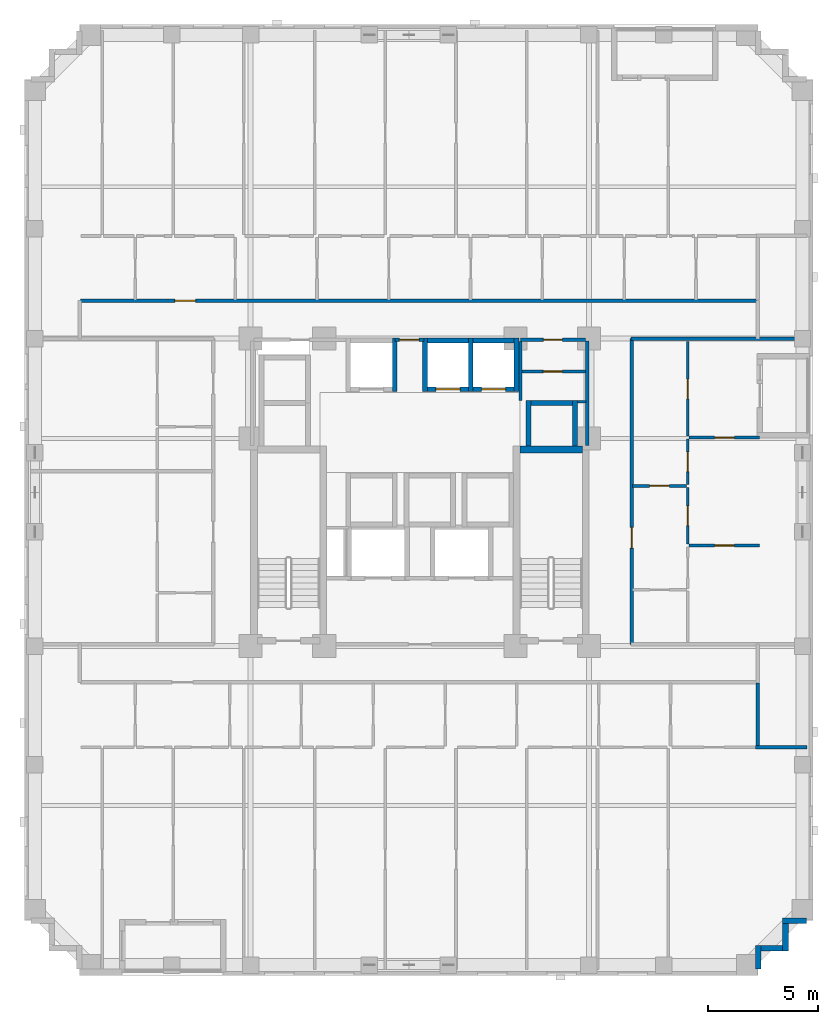
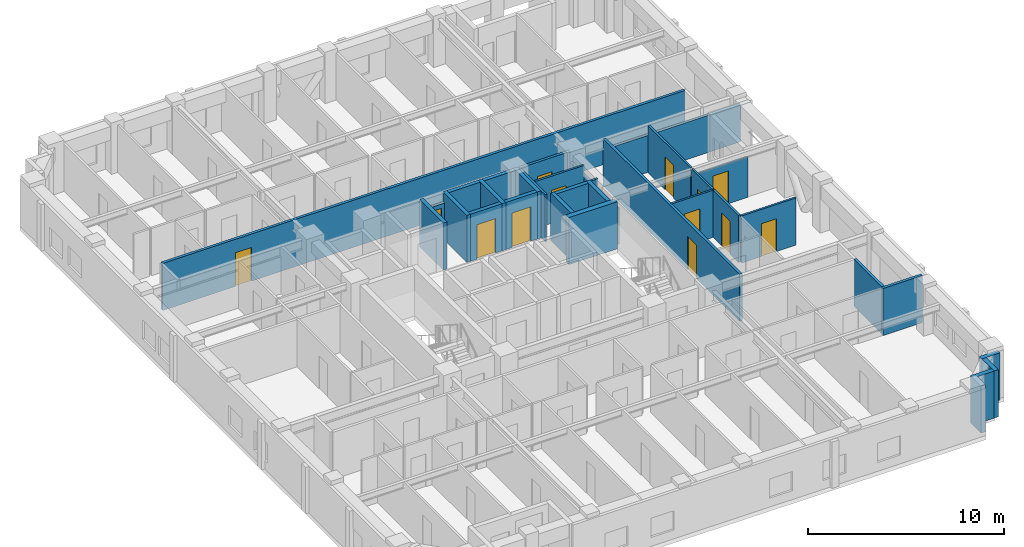
# One storey, part 6 of 13: 33 walls, 13 doors, 13 openings.
"""IFC4 building model written with IfcOpenShell, lengths in metres."""

import ifcopenshell
import ifcopenshell.guid

model = None  # the IFC model being written
_history = None  # IfcOwnerHistory: only IFC2X3 demands one
_inside = {}  # id of a spatial element -> (the spatial element, [elements in it])
_under = {}  # id of a project, library or spatial element -> (it, [spatial elements below it])
_declared = {}  # id of a project -> (the project, [libraries it declares])
_typed = {}  # id of a type object -> (the type object, [elements of that type])
_made_of = {}  # id of a material, layer set ... -> (it, [elements and type objects made of it])


def new_model(schema):
    """Start an empty IFC model of exactly this schema.

    Asked for "IFC4X3", IfcOpenShell would pick the latest addendum, in which some entities
    have other attributes; the version numbers below select the first issue.
    IFC2X3 requires an IfcOwnerHistory on every rooted entity: one is made here for all.
    """
    global model, _history
    if schema == "IFC4X3":
        model = ifcopenshell.file(schema_version=(4, 3, 0, 0))
    else:
        model = ifcopenshell.file(schema=schema)
    _inside.clear()
    _under.clear()
    _declared.clear()
    _typed.clear()
    _made_of.clear()
    _history = None
    if model.schema == "IFC2X3":
        org = make("IfcOrganization", Name="unknown")
        user = make(
            "IfcPersonAndOrganization",
            ThePerson=make("IfcPerson", FamilyName="unknown"),
            TheOrganization=org,
        )
        app = make(
            "IfcApplication",
            ApplicationDeveloper=org,
            Version="unknown",
            ApplicationFullName="unknown",
            ApplicationIdentifier="unknown",
        )
        _history = make(
            "IfcOwnerHistory",
            OwningUser=user,
            OwningApplication=app,
            ChangeAction="ADDED",
            CreationDate=0,
        )
    return model


def make(cls, **values):
    """One entity of the class cls with the attributes given. An attribute that is None is left unset."""
    return model.create_entity(
        cls, **{name: value for name, value in values.items() if value is not None}
    )


def rooted(cls, **values):
    """An entity with a GlobalId (a new one), such as an element, a storey or a relation."""
    return make(cls, GlobalId=ifcopenshell.guid.new(), OwnerHistory=_history, **values)


def si_unit(unit_type, name, prefix=None):
    """IfcSIUnit, for example si_unit("LENGTHUNIT", "METRE", prefix="MILLI")."""
    return make("IfcSIUnit", UnitType=unit_type, Prefix=prefix, Name=name)


def derived_unit(unit_type, elements):
    """IfcDerivedUnit: a product of units, each with its exponent."""
    return make(
        "IfcDerivedUnit",
        Elements=[
            make("IfcDerivedUnitElement", Unit=unit, Exponent=power)
            for unit, power in elements
        ],
        UnitType=unit_type,
    )


def assignment(units):
    """IfcUnitAssignment: the units of a project."""
    return None if units is None else make("IfcUnitAssignment", Units=units)


def point(xyz):
    """IfcCartesianPoint."""
    return None if xyz is None else make("IfcCartesianPoint", Coordinates=xyz)


def direction(xyz):
    """IfcDirection."""
    return None if xyz is None else make("IfcDirection", DirectionRatios=xyz)


def frame(location, z_axis=None, x_axis=None):
    """IfcAxis2Placement3D, a coordinate frame: its origin and axes. An axis left out is left unset."""
    return make(
        "IfcAxis2Placement3D",
        Location=point(location),
        Axis=direction(z_axis),
        RefDirection=direction(x_axis),
    )


def frame_2d(location, x_axis=None):
    """IfcAxis2Placement2D, a coordinate frame in the plane: its origin and x axis."""
    return make(
        "IfcAxis2Placement2D", Location=point(location), RefDirection=direction(x_axis)
    )


def origin():
    """The frame at (0, 0, 0) with its axes left unset."""
    return frame((0.0, 0.0, 0.0))


def place(relative_to, where):
    """IfcLocalPlacement: puts the frame where relative to a parent placement (None: the world)."""
    return make(
        "IfcLocalPlacement", PlacementRelTo=relative_to, RelativePlacement=where
    )


def context(
    kind, dimensions, precision=None, world=None, true_north=None, identifier=None
):
    """IfcGeometricRepresentationContext, for example the 3D "Model" context."""
    return make(
        "IfcGeometricRepresentationContext",
        ContextIdentifier=identifier,
        ContextType=kind,
        CoordinateSpaceDimension=dimensions,
        Precision=precision,
        WorldCoordinateSystem=world,
        TrueNorth=true_north,
    )


def subcontext(parent, identifier, kind, view, scale=None):
    """IfcGeometricRepresentationSubContext, for example "Body" below "Model"."""
    return make(
        "IfcGeometricRepresentationSubContext",
        ContextIdentifier=identifier,
        ContextType=kind,
        ParentContext=parent,
        TargetScale=scale,
        TargetView=view,
    )


def project(units=None, contexts=None):
    """IfcProject with its units and contexts."""
    return rooted(
        "IfcProject",
        Name="project",
        RepresentationContexts=contexts,
        UnitsInContext=assignment(units),
    )


def spatial(cls, under=None, at=None, **own):
    """A site, building, storey or space (cls), placed at a placement, below another one or the project."""
    s = rooted(cls, ObjectPlacement=at, **own)
    if under is not None:
        _under.setdefault(under.id(), (under, []))[1].append(s)
    return s


def profile(cls, at=None, kind="AREA", **sizes):
    """A parametric profile (cls). Its sizes go by their IFC names, for example OverallWidth=200.0."""
    return make(cls, ProfileType=kind, Position=at, **sizes)


def rectangle(**sizes):
    """IfcRectangleProfileDef."""
    return profile("IfcRectangleProfileDef", **sizes)


def extrude(swept, where, along, depth):
    """IfcExtrudedAreaSolid: the profile swept, set in the frame where, extruded along a direction by depth."""
    return make(
        "IfcExtrudedAreaSolid",
        SweptArea=swept,
        Position=where,
        ExtrudedDirection=direction(along),
        Depth=depth,
    )


def shape(context_of_items, identifier, shape_type, items):
    """IfcShapeRepresentation: the items that make up one representation, for example the "Body"."""
    return make(
        "IfcShapeRepresentation",
        ContextOfItems=context_of_items,
        RepresentationIdentifier=identifier,
        RepresentationType=shape_type,
        Items=items,
    )


def material(Name=None, Category=None):
    """IfcMaterial."""
    return make("IfcMaterial", Name=Name, Category=Category)


def layer(
    of_material, thickness, ventilated=None, Name=None, Category=None, Priority=None
):
    """IfcMaterialLayer: one layer of a wall or slab, of a material (None: an air gap)."""
    return make(
        "IfcMaterialLayer",
        Material=of_material,
        LayerThickness=thickness,
        IsVentilated=ventilated,
        Name=Name,
        Category=Category,
        Priority=Priority,
    )


def layer_set(layers, Name=None):
    """IfcMaterialLayerSet."""
    return make("IfcMaterialLayerSet", MaterialLayers=layers, LayerSetName=Name)


def made_of(thing, what):
    """Note that an element or type object is made of a material, layer set ...; save() writes the relation."""
    if what is not None:
        _made_of.setdefault(what.id(), (what, []))[1].append(thing)
    return thing


def type_object(cls, material=None, **own):
    """A type object (cls), such as IfcWallType, which elements share."""
    return made_of(rooted(cls, **own), material)


def element(
    cls,
    number,
    at=None,
    inside=None,
    cuts=None,
    type_object=None,
    material=None,
    context=None,
    identifier="Body",
    shape_type=None,
    held_by="IfcProductDefinitionShape",
    body=None,
    shapes=None,
    **own,
):
    """One element of the class cls, such as IfcWall. Its Tag is "e" and its number.

    at: its placement. inside: the storey or other place that contains it. cuts: it is an
    opening in that element (IfcRelVoidsElement). A single representation is given by context,
    identifier, shape_type and body (its items); several are given by shapes. held_by: the class
    of the entity that holds the representations. save() writes the other relations.
    """
    e = rooted(cls, Tag="e%d" % number, ObjectPlacement=at, **own)
    if body is not None:
        shapes = [shape(context, identifier, shape_type, body)]
    if shapes is not None:
        e.Representation = make(held_by, Representations=shapes)
    if inside is not None:
        _inside.setdefault(inside.id(), (inside, []))[1].append(e)
    if cuts is not None:
        rooted(
            "IfcRelVoidsElement", RelatingBuildingElement=cuts, RelatedOpeningElement=e
        )
    if type_object is not None:
        _typed.setdefault(type_object.id(), (type_object, []))[1].append(e)
    return made_of(e, material)


def fill(opening, filler):
    """IfcRelFillsElement: the door or window that sits in an opening."""
    return rooted(
        "IfcRelFillsElement",
        RelatingOpeningElement=opening,
        RelatedBuildingElement=filler,
    )


def aggregate(whole, parts):
    """IfcRelAggregates: a whole, such as a stair, and the parts it consists of."""
    return rooted("IfcRelAggregates", RelatingObject=whole, RelatedObjects=parts)


def save(model, path):
    """Write the relations noted so far, then the file.

    IfcRelAggregates (storeys below a building ...), IfcRelContainedInSpatialStructure (elements
    in a storey), IfcRelDefinesByType, IfcRelAssociatesMaterial and IfcRelDeclares: one each for
    every whole, place, type object, material and project.
    """
    for whole, parts in _under.values():
        aggregate(whole, parts)
    for where, things in _inside.values():
        rooted(
            "IfcRelContainedInSpatialStructure",
            RelatedElements=things,
            RelatingStructure=where,
        )
    for kind, things in _typed.values():
        rooted("IfcRelDefinesByType", RelatedObjects=things, RelatingType=kind)
    for what, things in _made_of.values():
        rooted("IfcRelAssociatesMaterial", RelatedObjects=things, RelatingMaterial=what)
    for by, libraries in _declared.values():
        rooted("IfcRelDeclares", RelatingContext=by, RelatedDefinitions=libraries)
    model.write(path)


model = new_model("IFC4")

# Units and contexts
model_context = context("Model", 3, precision=1e-05, world=origin(), true_north=direction((0.0, 1.0)))
body_context = subcontext(model_context, "Body", "Model", "MODEL_VIEW")
ifc_project = project(units=[si_unit("LENGTHUNIT", "METRE"), si_unit("AREAUNIT", "SQUARE_METRE"), si_unit("VOLUMEUNIT", "CUBIC_METRE"), si_unit("PLANEANGLEUNIT", "RADIAN"), si_unit("MASSUNIT", "GRAM", prefix="KILO"), derived_unit("THERMALTRANSMITTANCEUNIT", [(si_unit("MASSUNIT", "GRAM", prefix="KILO"), 1), (si_unit("TIMEUNIT", "SECOND"), -3), (si_unit("THERMODYNAMICTEMPERATUREUNIT", "KELVIN"), -1)])], contexts=[model_context])

# Site, building, storey
site_placement = place(None, origin())
site = spatial("IfcSite", under=ifc_project, at=site_placement, CompositionType="ELEMENT")
building_placement = place(site_placement, origin())
building = spatial("IfcBuilding", under=site, at=building_placement, Name="Korrvale Station Residences", CompositionType="ELEMENT")
storey_placement = place(building_placement, frame((0.0, 0.0, 97.5)))
storey = spatial("IfcBuildingStorey", under=building, at=storey_placement, Name="L27", CompositionType="ELEMENT", Elevation=97.5)

# Walls
ifc_material_1 = material(Name="Concrete C60/75", Category="concrete")
ifc_layer_1 = layer(ifc_material_1, 0.300048828125, Name="Concrete C60/75")
ifc_layer_set_1 = layer_set([ifc_layer_1], Name="Concrete C60/75")
wall_type_1 = type_object("IfcWallType", Name="WAL-CORE-300-C60", PredefinedType="SHEAR", material=ifc_layer_set_1)
wall_1_placement = place(storey_placement, frame((30.050048828125, 23.949951171875, 0.0), z_axis=(0.0, 0.0, 1.0), x_axis=(1.0, 0.0, 0.0)))
element("IfcWall", 1, at=wall_1_placement, inside=storey, type_object=wall_type_1, Name="L27 ST-2 Core Shear Wall North", PredefinedType="SHEAR", context=body_context, shape_type="SweptSolid", body=[
    extrude(rectangle(XDim=2.849853515625, YDim=0.300048828125, at=frame_2d((1.4248046875, 0.0))), origin(), (0.0, 0.0, 1.0), 2.93994140625),
])
ifc_material_2 = material(Name="Precast concrete C45/55", Category="concrete")
ifc_layer_2 = layer(ifc_material_2, 0.260009765625, Name="Precast concrete C45/55")
ifc_layer_set_2 = layer_set([ifc_layer_2], Name="Precast concrete C45/55")
wall_type_2 = type_object("IfcWallType", Name="WAL-EXT-LOG260", PredefinedType="SOLIDWALL", material=ifc_layer_set_2)
wall_2_placement = place(storey_placement, frame((43.097900390625, 2.5, 0.0), z_axis=(0.0, 0.0, 1.0), x_axis=(-1.0, 0.0, 0.0)))
element("IfcWall", 2, at=wall_2_placement, inside=storey, type_object=wall_type_2, Name="L27 Serrated Corner Precast Step SE-1", PredefinedType="SOLIDWALL", context=body_context, shape_type="SweptSolid", body=[
    extrude(rectangle(XDim=1.077880859375, YDim=0.260009765625, at=frame_2d((0.5390625, 0.0))), origin(), (0.0, 0.0, 1.0), 2.93994140625),
])
wall_3_placement = place(storey_placement, frame((42.14990234375, 2.367919921875, 0.0), z_axis=(0.0, 0.0, 1.0), x_axis=(0.0, -1.0, 0.0)))
element("IfcWall", 3, at=wall_3_placement, inside=storey, type_object=wall_type_2, Name="L27 Serrated Corner Precast Step SE-2", PredefinedType="SOLIDWALL", context=body_context, shape_type="SweptSolid", body=[
    extrude(rectangle(XDim=1.247802734375, YDim=0.260009765625, at=frame_2d((0.6240234375, 0.0))), origin(), (0.0, 0.0, 1.0), 2.93994140625),
])
wall_4_placement = place(storey_placement, frame((42.01806640625, 1.25, 0.0), z_axis=(0.0, 0.0, 1.0), x_axis=(-1.0, 0.0, 0.0)))
element("IfcWall", 4, at=wall_4_placement, inside=storey, type_object=wall_type_2, Name="L27 Serrated Corner Precast Step SE-3", PredefinedType="SOLIDWALL", context=body_context, shape_type="SweptSolid", body=[
    extrude(rectangle(XDim=0.986083984375, YDim=0.260009765625, at=frame_2d((0.4931640625, 0.0))), origin(), (0.0, 0.0, 1.0), 2.93994140625),
])
wall_5_placement = place(storey_placement, frame((40.89990234375, 1.3798828125, 0.0), z_axis=(0.0, 0.0, 1.0), x_axis=(0.0, -1.0, 0.0)))
element("IfcWall", 5, at=wall_5_placement, inside=storey, type_object=wall_type_2, Name="L27 Serrated Corner Precast Step SE-4", PredefinedType="SOLIDWALL", context=body_context, shape_type="SweptSolid", body=[
    extrude(rectangle(XDim=1.077880859375, YDim=0.260009765625, at=frame_2d((0.5390625, 0.0))), origin(), (0.0, 0.0, 1.0), 2.93994140625),
])
ifc_material_3 = material(Name="Acoustic steel-stud gypsum board partition", Category="steel")
ifc_layer_3 = layer(ifc_material_3, 0.1201171875, Name="Acoustic steel-stud gypsum board partition")
ifc_layer_set_3 = layer_set([ifc_layer_3], Name="Acoustic steel-stud gypsum board partition")
wall_type_3 = type_object("IfcWallType", Name="WAL-PART-125", PredefinedType="PARTITIONING", material=ifc_layer_set_3)
wall_6_placement = place(storey_placement, frame((30.080078125, 26.179931640625, 0.0), z_axis=(0.0, 0.0, 1.0), x_axis=(0.0, 1.0, 0.0)))
element("IfcWall", 6, at=wall_6_placement, inside=storey, type_object=wall_type_3, Name="L27 Core Partition CW-CS-W", PredefinedType="PARTITIONING", context=body_context, shape_type="SweptSolid", body=[
    extrude(rectangle(XDim=2.68017578125, YDim=0.1201171875, at=frame_2d((1.340087890625, 0.0))), origin(), (0.0, 0.0, 1.0), 2.93994140625),
])
wall_7_placement = place(storey_placement, frame((32.679931640625, 26.1201171875, 0.0), z_axis=(0.0, 0.0, 1.0), x_axis=(1.0, 0.0, 0.0)))
element("IfcWall", 7, at=wall_7_placement, inside=storey, type_object=wall_type_3, Name="L27 Core Partition CW-CS-S", PredefinedType="PARTITIONING", context=body_context, shape_type="SweptSolid", body=[
    extrude(rectangle(XDim=0.380126953125, YDim=0.1201171875, at=frame_2d((0.18994140625, 0.0))), origin(), (0.0, 0.0, 1.0), 2.93994140625),
])

# Wall, opening, door
wall_8_placement = place(storey_placement, frame((30.159912109375, 27.5, 0.0), z_axis=(0.0, 0.0, 1.0), x_axis=(1.0, 0.0, 0.0)))
wall_8 = element("IfcWall", 8, at=wall_8_placement, inside=storey, type_object=wall_type_3, Name="L27 Core Partition CW-CS-H", PredefinedType="PARTITIONING", context=body_context, shape_type="SweptSolid", body=[
    extrude(rectangle(XDim=2.880126953125, YDim=0.1201171875, at=frame_2d((1.43994140625, 0.0))), origin(), (0.0, 0.0, 1.0), 2.93994140625),
])
opening_1_placement = place(wall_8_placement, frame((0.969970703125, 0.0, 0.0)))
opening_1 = element("IfcOpeningElement", 9, at=opening_1_placement, cuts=wall_8, Name="Opening DB-860", PredefinedType="OPENING", context=body_context, shape_type="SweptSolid", body=[
    extrude(rectangle(XDim=0.860107421875, YDim=2.050048828125, at=frame_2d((0.43017578125, 1.02490234375))), frame((0.0, 0.070068359375, 0.0), z_axis=(0.0, -1.0, 0.0), x_axis=(1.0, 0.0, 0.0)), (0.0, 0.0, 1.0), 0.14013671875),
])
ifc_material_4 = material(Name="Moisture-resistant solid-core bathroom door", Category="timber")
door_type_1 = type_object("IfcDoorType", Name="DR-BATH-860", OperationType="NOTDEFINED", PredefinedType="DOOR", material=ifc_material_4)
door_1_placement = place(opening_1_placement, origin())
door_1 = element("IfcDoor", 10, at=door_1_placement, inside=storey, type_object=door_type_1, Name="L27 Mail Sorting Inner Door", OperationType="SINGLE_SWING_RIGHT", OverallHeight=2.050048828125, OverallWidth=0.860107421875, PredefinedType="DOOR", context=body_context, shape_type="SweptSolid", body=[
    extrude(rectangle(XDim=0.860107421875, YDim=2.050048828125, at=frame_2d((0.43017578125, 1.02490234375))), frame((0.0, 0.02490234375, 0.0), z_axis=(0.0, -1.0, 0.0), x_axis=(1.0, 0.0, 0.0)), (0.0, 0.0, 1.0), 0.050048828125),
])
fill(opening_1, door_1)

wall_9_placement = place(storey_placement, frame((35.18994140625, 22.2900390625, 0.0), z_axis=(0.0, 0.0, 1.0), x_axis=(1.0, 0.0, 0.0)))
wall_9 = element("IfcWall", 11, at=wall_9_placement, inside=storey, type_object=wall_type_3, Name="L27 Suite Partition U05-H02", PredefinedType="PARTITIONING", context=body_context, shape_type="SweptSolid", body=[
    extrude(rectangle(XDim=2.449951171875, YDim=0.1201171875, at=frame_2d((1.22509765625, 0.0))), origin(), (0.0, 0.0, 1.0), 2.93994140625),
])
opening_2_placement = place(wall_9_placement, frame((0.77490234375, 0.0, 0.0)))
opening_2 = element("IfcOpeningElement", 12, at=opening_2_placement, cuts=wall_9, Name="Opening DI-900", PredefinedType="OPENING", context=body_context, shape_type="SweptSolid", body=[
    extrude(rectangle(XDim=0.89990234375, YDim=2.050048828125, at=frame_2d((0.449951171875, 1.02490234375))), frame((0.0, 0.070068359375, 0.0), z_axis=(0.0, -1.0, 0.0), x_axis=(1.0, 0.0, 0.0)), (0.0, 0.0, 1.0), 0.14013671875),
])
ifc_material_5 = material(Name="Painted solid-core timber interior room door", Category="wood")
door_type_2 = type_object("IfcDoorType", Name="DR-INT-900", OperationType="NOTDEFINED", PredefinedType="DOOR", material=ifc_material_5)
door_2_placement = place(opening_2_placement, origin())
door_2 = element("IfcDoor", 13, at=door_2_placement, inside=storey, type_object=door_type_2, Name="L27 Apartment 2BR L27-U05 Wardrobe Storage Room Door", OperationType="SINGLE_SWING_LEFT", OverallHeight=2.050048828125, OverallWidth=0.89990234375, PredefinedType="DOOR", context=body_context, shape_type="SweptSolid", body=[
    extrude(rectangle(XDim=0.89990234375, YDim=2.050048828125, at=frame_2d((0.449951171875, 1.02490234375))), frame((0.0, 0.02490234375, 0.0), z_axis=(0.0, -1.0, 0.0), x_axis=(1.0, 0.0, 0.0)), (0.0, 0.0, 1.0), 0.050048828125),
])
fill(opening_2, door_2)

wall_10_placement = place(storey_placement, frame((37.699951171875, 22.35009765625, 0.0), z_axis=(0.0, 0.0, 1.0), x_axis=(0.0, 1.0, 0.0)))
wall_10 = element("IfcWall", 14, at=wall_10_placement, inside=storey, type_object=wall_type_3, Name="L27 Suite Partition U05-V04", PredefinedType="PARTITIONING", context=body_context, shape_type="SweptSolid", body=[
    extrude(rectangle(XDim=2.081787109375, YDim=0.1201171875, at=frame_2d((1.041015625, 0.0))), origin(), (0.0, 0.0, 1.0), 2.93994140625),
])
opening_3_placement = place(wall_10_placement, frame((0.591064453125, 0.0, 0.0)))
opening_3 = element("IfcOpeningElement", 15, at=opening_3_placement, cuts=wall_10, Name="Opening DI-900", PredefinedType="OPENING", context=body_context, shape_type="SweptSolid", body=[
    extrude(rectangle(XDim=0.89990234375, YDim=2.050048828125, at=frame_2d((0.449951171875, 1.02490234375))), frame((0.0, 0.070068359375, 0.0), z_axis=(0.0, -1.0, 0.0), x_axis=(1.0, 0.0, 0.0)), (0.0, 0.0, 1.0), 0.14013671875),
])
door_3_placement = place(opening_3_placement, origin())
door_3 = element("IfcDoor", 16, at=door_3_placement, inside=storey, type_object=door_type_2, Name="L27 Apartment 2BR L27-U05 Wardrobe Storage Room Door", OperationType="SINGLE_SWING_RIGHT", OverallHeight=2.050048828125, OverallWidth=0.89990234375, PredefinedType="DOOR", context=body_context, shape_type="SweptSolid", body=[
    extrude(rectangle(XDim=0.89990234375, YDim=2.050048828125, at=frame_2d((0.449951171875, 1.02490234375))), frame((0.0, 0.02490234375, 0.0), z_axis=(0.0, -1.0, 0.0), x_axis=(1.0, 0.0, 0.0)), (0.0, 0.0, 1.0), 0.050048828125),
])
fill(opening_3, door_3)

wall_11_placement = place(storey_placement, frame((37.699951171875, 24.552001953125, 0.0), z_axis=(0.0, 0.0, 1.0), x_axis=(0.0, 1.0, 0.0)))
wall_11 = element("IfcWall", 17, at=wall_11_placement, inside=storey, type_object=wall_type_3, Name="L27 Suite Partition U05-V05", PredefinedType="PARTITIONING", context=body_context, shape_type="SweptSolid", body=[
    extrude(rectangle(XDim=4.30810546875, YDim=0.1201171875, at=frame_2d((2.154052734375, 0.0))), origin(), (0.0, 0.0, 1.0), 2.93994140625),
])
opening_4_placement = place(wall_11_placement, frame((1.7041015625, 0.0, 0.0)))
opening_4 = element("IfcOpeningElement", 18, at=opening_4_placement, cuts=wall_11, Name="Opening DI-900", PredefinedType="OPENING", context=body_context, shape_type="SweptSolid", body=[
    extrude(rectangle(XDim=0.89990234375, YDim=2.050048828125, at=frame_2d((0.449951171875, 1.02490234375))), frame((0.0, 0.070068359375, 0.0), z_axis=(0.0, -1.0, 0.0), x_axis=(1.0, 0.0, 0.0)), (0.0, 0.0, 1.0), 0.14013671875),
])
door_4_placement = place(opening_4_placement, origin())
door_4 = element("IfcDoor", 19, at=door_4_placement, inside=storey, type_object=door_type_2, Name="L27 Apartment 2BR L27-U05 Wardrobe Storage Room Door", OperationType="SINGLE_SWING_LEFT", OverallHeight=2.050048828125, OverallWidth=0.89990234375, PredefinedType="DOOR", context=body_context, shape_type="SweptSolid", body=[
    extrude(rectangle(XDim=0.89990234375, YDim=2.050048828125, at=frame_2d((0.449951171875, 1.02490234375))), frame((0.0, 0.02490234375, 0.0), z_axis=(0.0, -1.0, 0.0), x_axis=(1.0, 0.0, 0.0)), (0.0, 0.0, 1.0), 0.050048828125),
])
fill(opening_4, door_4)

wall_12_placement = place(storey_placement, frame((37.699951171875, 19.637939453125, 0.0), z_axis=(0.0, 0.0, 1.0), x_axis=(0.0, 1.0, 0.0)))
wall_12 = element("IfcWall", 20, at=wall_12_placement, inside=storey, type_object=wall_type_3, Name="L27 Suite Partition U05-V24", PredefinedType="PARTITIONING", context=body_context, shape_type="SweptSolid", body=[
    extrude(rectangle(XDim=2.592041015625, YDim=0.1201171875, at=frame_2d((1.2958984375, 0.0))), origin(), (0.0, 0.0, 1.0), 2.93994140625),
])
opening_5_placement = place(wall_12_placement, frame((0.845947265625, 0.0, 0.0)))
opening_5 = element("IfcOpeningElement", 21, at=opening_5_placement, cuts=wall_12, Name="Opening DI-900", PredefinedType="OPENING", context=body_context, shape_type="SweptSolid", body=[
    extrude(rectangle(XDim=0.89990234375, YDim=2.050048828125, at=frame_2d((0.449951171875, 1.02490234375))), frame((0.0, 0.070068359375, 0.0), z_axis=(0.0, -1.0, 0.0), x_axis=(1.0, 0.0, 0.0)), (0.0, 0.0, 1.0), 0.14013671875),
])
door_5_placement = place(opening_5_placement, origin())
door_5 = element("IfcDoor", 22, at=door_5_placement, inside=storey, type_object=door_type_2, Name="L27 Apartment 2BR L27-U05 Kitchen Door", OperationType="SINGLE_SWING_RIGHT", OverallHeight=2.050048828125, OverallWidth=0.89990234375, PredefinedType="DOOR", context=body_context, shape_type="SweptSolid", body=[
    extrude(rectangle(XDim=0.89990234375, YDim=2.050048828125, at=frame_2d((0.449951171875, 1.02490234375))), frame((0.0, 0.02490234375, 0.0), z_axis=(0.0, -1.0, 0.0), x_axis=(1.0, 0.0, 0.0)), (0.0, 0.0, 1.0), 0.050048828125),
])
fill(opening_5, door_5)

wall_13_placement = place(storey_placement, frame((37.760009765625, 19.577880859375, 0.0), z_axis=(0.0, 0.0, 1.0), x_axis=(1.0, 0.0, 0.0)))
wall_13 = element("IfcWall", 23, at=wall_13_placement, inside=storey, type_object=wall_type_3, Name="L27 Suite Partition U05-H34", PredefinedType="PARTITIONING", context=body_context, shape_type="SweptSolid", body=[
    extrude(rectangle(XDim=3.2099609375, YDim=0.1201171875, at=frame_2d((1.60498046875, 0.0))), origin(), (0.0, 0.0, 1.0), 2.93994140625),
])
opening_6_placement = place(wall_13_placement, frame((1.155029296875, 0.0, 0.0)))
opening_6 = element("IfcOpeningElement", 24, at=opening_6_placement, cuts=wall_13, Name="Opening DI-900", PredefinedType="OPENING", context=body_context, shape_type="SweptSolid", body=[
    extrude(rectangle(XDim=0.89990234375, YDim=2.050048828125, at=frame_2d((0.449951171875, 1.02490234375))), frame((0.0, 0.070068359375, 0.0), z_axis=(0.0, -1.0, 0.0), x_axis=(1.0, 0.0, 0.0)), (0.0, 0.0, 1.0), 0.14013671875),
])
door_6_placement = place(opening_6_placement, origin())
door_6 = element("IfcDoor", 25, at=door_6_placement, inside=storey, type_object=door_type_2, Name="L27 Apartment 2BR L27-U05 Bedroom 1 Door", OperationType="SINGLE_SWING_LEFT", OverallHeight=2.050048828125, OverallWidth=0.89990234375, PredefinedType="DOOR", context=body_context, shape_type="SweptSolid", body=[
    extrude(rectangle(XDim=0.89990234375, YDim=2.050048828125, at=frame_2d((0.449951171875, 1.02490234375))), frame((0.0, 0.02490234375, 0.0), z_axis=(0.0, -1.0, 0.0), x_axis=(1.0, 0.0, 0.0)), (0.0, 0.0, 1.0), 0.050048828125),
])
fill(opening_6, door_6)

wall_14_placement = place(storey_placement, frame((37.760009765625, 24.491943359375, 0.0), z_axis=(0.0, 0.0, 1.0), x_axis=(1.0, 0.0, 0.0)))
wall_14 = element("IfcWall", 26, at=wall_14_placement, inside=storey, type_object=wall_type_3, Name="L27 Suite Partition U05-H45", PredefinedType="PARTITIONING", context=body_context, shape_type="SweptSolid", body=[
    extrude(rectangle(XDim=3.2099609375, YDim=0.1201171875, at=frame_2d((1.60498046875, 0.0))), origin(), (0.0, 0.0, 1.0), 2.51806640625),
])
opening_7_placement = place(wall_14_placement, frame((1.155029296875, 0.0, 0.0)))
opening_7 = element("IfcOpeningElement", 27, at=opening_7_placement, cuts=wall_14, Name="Opening DI-900", PredefinedType="OPENING", context=body_context, shape_type="SweptSolid", body=[
    extrude(rectangle(XDim=0.89990234375, YDim=2.050048828125, at=frame_2d((0.449951171875, 1.02490234375))), frame((0.0, 0.070068359375, 0.0), z_axis=(0.0, -1.0, 0.0), x_axis=(1.0, 0.0, 0.0)), (0.0, 0.0, 1.0), 0.14013671875),
])
door_7_placement = place(opening_7_placement, origin())
door_7 = element("IfcDoor", 28, at=door_7_placement, inside=storey, type_object=door_type_2, Name="L27 Apartment 2BR L27-U05 Living and Dining Room Door", OperationType="SINGLE_SWING_RIGHT", OverallHeight=2.050048828125, OverallWidth=0.89990234375, PredefinedType="DOOR", context=body_context, shape_type="SweptSolid", body=[
    extrude(rectangle(XDim=0.89990234375, YDim=2.050048828125, at=frame_2d((0.449951171875, 1.02490234375))), frame((0.0, 0.02490234375, 0.0), z_axis=(0.0, -1.0, 0.0), x_axis=(1.0, 0.0, 0.0)), (0.0, 0.0, 1.0), 0.050048828125),
])
fill(opening_7, door_7)

# Wall
ifc_material_6 = material(Name="Fire-rated twin-stud gypsum and mineral wool shaftwall assembly", Category="gypsum")
ifc_layer_4 = layer(ifc_material_6, 0.159912109375, Name="Fire-rated twin-stud gypsum and mineral wool shaftwall assembly")
ifc_layer_set_4 = layer_set([ifc_layer_4], Name="Fire-rated twin-stud gypsum and mineral wool shaftwall assembly")
wall_type_4 = type_object("IfcWallType", Name="WAL-PART-200", PredefinedType="PARTITIONING", material=ifc_layer_set_4)
wall_15_placement = place(storey_placement, frame((33.1201171875, 24.1201171875, 0.0), z_axis=(0.0, 0.0, 1.0), x_axis=(0.0, 1.0, 0.0)))
element("IfcWall", 29, at=wall_15_placement, inside=storey, type_object=wall_type_4, Name="L27 Core Partition CW-E-N", PredefinedType="PARTITIONING", context=body_context, shape_type="SweptSolid", body=[
    extrude(rectangle(XDim=4.759765625, YDim=0.159912109375, at=frame_2d((2.3798828125, 0.0))), origin(), (0.0, 0.0, 1.0), 2.27490234375),
])

# Wall, opening, door
wall_16_placement = place(storey_placement, frame((24.360107421875, 28.949951171875, 0.0), z_axis=(0.0, 0.0, 1.0), x_axis=(1.0, 0.0, 0.0)))
wall_16 = element("IfcWall", 30, at=wall_16_placement, inside=storey, type_object=wall_type_4, Name="L27 Core Partition CW-LLOB-N", PredefinedType="PARTITIONING", context=body_context, shape_type="SweptSolid", body=[
    extrude(rectangle(XDim=1.31982421875, YDim=0.159912109375, at=frame_2d((0.659912109375, 0.0))), origin(), (0.0, 0.0, 1.0), 2.31298828125),
])
opening_8_placement = place(wall_16_placement, frame((0.2099609375, 0.0, 0.0)))
opening_8 = element("IfcOpeningElement", 31, at=opening_8_placement, cuts=wall_16, Name="Opening DI-900", PredefinedType="OPENING", context=body_context, shape_type="SweptSolid", body=[
    extrude(rectangle(XDim=0.89990234375, YDim=2.050048828125, at=frame_2d((0.449951171875, 1.02490234375))), frame((0.0, 0.08984375, 0.0), z_axis=(0.0, -1.0, 0.0), x_axis=(1.0, 0.0, 0.0)), (0.0, 0.0, 1.0), 0.179931640625),
])
door_8_placement = place(opening_8_placement, origin())
door_8 = element("IfcDoor", 32, at=door_8_placement, inside=storey, type_object=door_type_2, Name="L27 Central Hallway North Passage Door", OperationType="SINGLE_SWING_RIGHT", OverallHeight=2.050048828125, OverallWidth=0.89990234375, PredefinedType="DOOR", context=body_context, shape_type="SweptSolid", body=[
    extrude(rectangle(XDim=0.89990234375, YDim=2.050048828125, at=frame_2d((0.449951171875, 1.02490234375))), frame((0.0, 0.02490234375, 0.0), z_axis=(0.0, -1.0, 0.0), x_axis=(1.0, 0.0, 0.0)), (0.0, 0.0, 1.0), 0.050048828125),
])
fill(opening_8, door_8)

wall_17_placement = place(storey_placement, frame((30.080078125, 28.949951171875, 0.0), z_axis=(0.0, 0.0, 1.0), x_axis=(1.0, 0.0, 0.0)))
wall_17 = element("IfcWall", 33, at=wall_17_placement, inside=storey, type_object=wall_type_4, Name="L27 Core Partition CW-CS-N", PredefinedType="PARTITIONING", context=body_context, shape_type="SweptSolid", body=[
    extrude(rectangle(XDim=2.9599609375, YDim=0.159912109375, at=frame_2d((1.47998046875, 0.0))), origin(), (0.0, 0.0, 1.0), 2.93994140625),
])
opening_9_placement = place(wall_17_placement, frame((1.044921875, 0.0, 0.0)))
opening_9 = element("IfcOpeningElement", 34, at=opening_9_placement, cuts=wall_17, Name="Opening DB-860", PredefinedType="OPENING", context=body_context, shape_type="SweptSolid", body=[
    extrude(rectangle(XDim=0.860107421875, YDim=2.050048828125, at=frame_2d((0.43017578125, 1.02490234375))), frame((0.0, 0.08984375, 0.0), z_axis=(0.0, -1.0, 0.0), x_axis=(1.0, 0.0, 0.0)), (0.0, 0.0, 1.0), 0.179931640625),
])
door_9_placement = place(opening_9_placement, origin())
door_9 = element("IfcDoor", 35, at=door_9_placement, inside=storey, type_object=door_type_1, Name="L27 Housekeeping Pantry Door", OperationType="SINGLE_SWING_LEFT", OverallHeight=2.050048828125, OverallWidth=0.860107421875, PredefinedType="DOOR", context=body_context, shape_type="SweptSolid", body=[
    extrude(rectangle(XDim=0.860107421875, YDim=2.050048828125, at=frame_2d((0.43017578125, 1.02490234375))), frame((0.0, 0.02490234375, 0.0), z_axis=(0.0, -1.0, 0.0), x_axis=(1.0, 0.0, 0.0)), (0.0, 0.0, 1.0), 0.050048828125),
])
fill(opening_9, door_9)

# Walls
wall_18_placement = place(storey_placement, frame((35.110107421875, 28.97998046875, 0.0), z_axis=(0.0, 0.0, 1.0), x_axis=(1.0, 0.0, 0.0)))
element("IfcWall", 36, at=wall_18_placement, inside=storey, type_object=wall_type_4, Name="L27 East Wing North Corridor Wall", PredefinedType="PARTITIONING", context=body_context, shape_type="SweptSolid", body=[
    extrude(rectangle(XDim=8.010009765625, YDim=0.159912109375, at=frame_2d((4.0048828125, 0.0))), origin(), (0.0, 0.0, 1.0), 2.31298828125),
])
wall_19_placement = place(storey_placement, frame((40.780029296875, 10.39990234375, 0.0), z_axis=(0.0, 0.0, 1.0), x_axis=(1.0, 0.0, 0.0)))
element("IfcWall", 37, at=wall_19_placement, inside=storey, type_object=wall_type_4, Name="L27 Corner Step Wall U01-R", PredefinedType="PARTITIONING", context=body_context, shape_type="SweptSolid", body=[
    extrude(rectangle(XDim=2.340087890625, YDim=0.159912109375, at=frame_2d((1.169921875, 0.0))), origin(), (0.0, 0.0, 1.0), 2.93994140625),
])
wall_20_placement = place(storey_placement, frame((40.8798828125, 10.39990234375, 0.0), z_axis=(0.0, 0.0, 1.0), x_axis=(0.0, 1.0, 0.0)))
element("IfcWall", 38, at=wall_20_placement, inside=storey, type_object=wall_type_4, Name="L27 Corner Step Cheek U01-R", PredefinedType="PARTITIONING", context=body_context, shape_type="SweptSolid", body=[
    extrude(rectangle(XDim=2.91015625, YDim=0.159912109375, at=frame_2d((1.455078125, 0.0))), origin(), (0.0, 0.0, 1.0), 2.93994140625),
])

# Wall, opening, door
wall_21_placement = place(storey_placement, frame((10.050048828125, 30.719970703125, 0.0), z_axis=(0.0, 0.0, 1.0), x_axis=(1.0, 0.0, 0.0)))
wall_21 = element("IfcWall", 39, at=wall_21_placement, inside=storey, type_object=wall_type_4, Name="L27 Rated Corridor Wall N", PredefinedType="PARTITIONING", context=body_context, shape_type="SweptSolid", body=[
    extrude(rectangle(XDim=30.800048828125, YDim=0.159912109375, at=frame_2d((15.39990234375, 0.0))), origin(), (0.0, 0.0, 1.0), 2.93994140625),
])
opening_10_placement = place(wall_21_placement, frame((4.294921875, 0.0, 0.0)))
opening_10 = element("IfcOpeningElement", 40, at=opening_10_placement, cuts=wall_21, Name="Opening UD-950", PredefinedType="OPENING", context=body_context, shape_type="SweptSolid", body=[
    extrude(rectangle(XDim=0.949951171875, YDim=2.10009765625, at=frame_2d((0.47509765625, 1.050048828125))), frame((0.0, 0.08984375, 0.0), z_axis=(0.0, -1.0, 0.0), x_axis=(1.0, 0.0, 0.0)), (0.0, 0.0, 1.0), 0.179931640625),
])
ifc_material_7 = material(Name="Solid-core acoustic oak apartment entrance door", Category="timber")
door_type_3 = type_object("IfcDoorType", Name="DR-UNIT-950", OperationType="NOTDEFINED", PredefinedType="DOOR", material=ifc_material_7)
door_10_placement = place(opening_10_placement, origin())
door_10 = element("IfcDoor", 41, at=door_10_placement, inside=storey, type_object=door_type_3, Name="L27 Apartment L27-U02 Entrance Door", OperationType="SINGLE_SWING_RIGHT", OverallHeight=2.10009765625, OverallWidth=0.949951171875, PredefinedType="DOOR", context=body_context, shape_type="SweptSolid", body=[
    extrude(rectangle(XDim=0.949951171875, YDim=2.10009765625, at=frame_2d((0.47509765625, 1.050048828125))), frame((0.0, 0.02490234375, 0.0), z_axis=(0.0, -1.0, 0.0), x_axis=(1.0, 0.0, 0.0)), (0.0, 0.0, 1.0), 0.050048828125),
])
fill(opening_10, door_10)

wall_22_placement = place(storey_placement, frame((35.14990234375, 15.070068359375, 0.0), z_axis=(0.0, 0.0, 1.0), x_axis=(0.0, 1.0, 0.0)))
wall_22 = element("IfcWall", 42, at=wall_22_placement, inside=storey, type_object=wall_type_4, Name="L27 Rated Corridor Wall E", PredefinedType="PARTITIONING", context=body_context, shape_type="SweptSolid", body=[
    extrude(rectangle(XDim=13.929931640625, YDim=0.159912109375, at=frame_2d((6.96484375, 0.0))), origin(), (0.0, 0.0, 1.0), 2.93994140625),
])
opening_11_placement = place(wall_22_placement, frame((4.385009765625, 0.0, 0.0)))
opening_11 = element("IfcOpeningElement", 43, at=opening_11_placement, cuts=wall_22, Name="Opening UD-950", PredefinedType="OPENING", context=body_context, shape_type="SweptSolid", body=[
    extrude(rectangle(XDim=0.949951171875, YDim=2.10009765625, at=frame_2d((0.47509765625, 1.050048828125))), frame((0.0, 0.08984375, 0.0), z_axis=(0.0, -1.0, 0.0), x_axis=(1.0, 0.0, 0.0)), (0.0, 0.0, 1.0), 0.179931640625),
])
door_11_placement = place(opening_11_placement, origin())
door_11 = element("IfcDoor", 44, at=door_11_placement, inside=storey, type_object=door_type_3, Name="L27 Apartment L27-U05 Entrance Door", OperationType="SINGLE_SWING_LEFT", OverallHeight=2.10009765625, OverallWidth=0.949951171875, PredefinedType="DOOR", context=body_context, shape_type="SweptSolid", body=[
    extrude(rectangle(XDim=0.949951171875, YDim=2.10009765625, at=frame_2d((0.47509765625, 1.050048828125))), frame((0.0, 0.02490234375, 0.0), z_axis=(0.0, -1.0, 0.0), x_axis=(1.0, 0.0, 0.0)), (0.0, 0.0, 1.0), 0.050048828125),
])
fill(opening_11, door_11)

# Wall
ifc_layer_5 = layer(ifc_material_1, 0.219970703125, Name="Concrete C60/75")
ifc_layer_set_5 = layer_set([ifc_layer_5], Name="Concrete C60/75")
wall_type_5 = type_object("IfcWallType", Name="WAL-SHAFT-220-C60", PredefinedType="SHEAR", material=ifc_layer_set_5)
wall_23_placement = place(storey_placement, frame((24.360107421875, 26.580078125, 0.0), z_axis=(0.0, 0.0, 1.0), x_axis=(0.0, 1.0, 0.0)))
element("IfcWall", 45, at=wall_23_placement, inside=storey, type_object=wall_type_5, Name="L27 Elevator PL-1 Hoistway Wall East", PredefinedType="SHEAR", context=body_context, shape_type="SweptSolid", body=[
    extrude(rectangle(XDim=2.43994140625, YDim=0.219970703125, at=frame_2d((1.219970703125, 0.0))), origin(), (0.0, 0.0, 1.0), 2.93994140625),
])

# Wall, opening, door
wall_24_placement = place(storey_placement, frame((25.85009765625, 26.68994140625, 0.0), z_axis=(0.0, 0.0, 1.0), x_axis=(1.0, 0.0, 0.0)))
wall_24 = element("IfcWall", 46, at=wall_24_placement, inside=storey, type_object=wall_type_5, Name="L27 Elevator PL-2 Hoistway Wall South", PredefinedType="SHEAR", context=body_context, shape_type="SweptSolid", body=[
    extrude(rectangle(XDim=1.85986328125, YDim=0.219970703125, at=frame_2d((0.929931640625, 0.0))), origin(), (0.0, 0.0, 1.0), 2.93994140625),
])
opening_12_placement = place(wall_24_placement, frame((0.3798828125, 0.0, 0.0)))
opening_12 = element("IfcOpeningElement", 47, at=opening_12_placement, cuts=wall_24, Name="Opening LD-1100", PredefinedType="OPENING", context=body_context, shape_type="SweptSolid", body=[
    extrude(rectangle(XDim=1.10009765625, YDim=2.14990234375, at=frame_2d((0.550048828125, 1.074951171875))), frame((0.0, 0.1201171875, 0.0), z_axis=(0.0, -1.0, 0.0), x_axis=(1.0, 0.0, 0.0)), (0.0, 0.0, 1.0), 0.239990234375),
])
ifc_material_8 = material(Name="Brushed stainless-steel elevator landing sliding door", Category="steel")
door_type_4 = type_object("IfcDoorType", Name="DR-LIFT-1100", OperationType="SLIDING_TO_LEFT", PredefinedType="DOOR", material=ifc_material_8)
door_12_placement = place(opening_12_placement, origin())
door_12 = element("IfcDoor", 48, at=door_12_placement, inside=storey, type_object=door_type_4, Name="L27 Elevator PL-2 Sliding Landing Door", OperationType="SLIDING_TO_LEFT", OverallHeight=2.14990234375, OverallWidth=1.10009765625, PredefinedType="DOOR", context=body_context, shape_type="SweptSolid", body=[
    extrude(rectangle(XDim=1.10009765625, YDim=2.14990234375, at=frame_2d((0.550048828125, 1.074951171875))), frame((0.0, 0.02490234375, 0.0), z_axis=(0.0, -1.0, 0.0), x_axis=(1.0, 0.0, 0.0)), (0.0, 0.0, 1.0), 0.050048828125),
])
fill(opening_12, door_12)

# Walls
wall_25_placement = place(storey_placement, frame((25.85009765625, 28.909912109375, 0.0), z_axis=(0.0, 0.0, 1.0), x_axis=(1.0, 0.0, 0.0)))
element("IfcWall", 49, at=wall_25_placement, inside=storey, type_object=wall_type_5, Name="L27 Elevator PL-2 Hoistway Wall North", PredefinedType="SHEAR", context=body_context, shape_type="SweptSolid", body=[
    extrude(rectangle(XDim=1.85986328125, YDim=0.219970703125, at=frame_2d((0.929931640625, 0.0))), origin(), (0.0, 0.0, 1.0), 2.93994140625),
])
for number, where, z_axis, x_axis, name in (
    (50, (25.739990234375, 26.580078125, 0.0), (0.0, 0.0, 1.0), (0.0, 1.0, 0.0), "L27 Elevator PL-2 Hoistway Wall West"),
    (51, (27.820068359375, 26.580078125, 0.0), (0.0, 0.0, 1.0), (0.0, 1.0, 0.0), "L27 Elevator PL-2 Hoistway Wall East"),
):
    element("IfcWall", number, at=place(storey_placement, frame(where, z_axis=z_axis, x_axis=x_axis)), inside=storey, type_object=wall_type_5, Name=name, PredefinedType="SHEAR", context=body_context, shape_type="SweptSolid", body=[
        extrude(rectangle(XDim=2.43994140625, YDim=0.219970703125, at=frame_2d((1.219970703125, 0.0))), origin(), (0.0, 0.0, 1.0), 2.93994140625),
    ])

# Wall, opening, door
wall_26_placement = place(storey_placement, frame((27.929931640625, 26.68994140625, 0.0), z_axis=(0.0, 0.0, 1.0), x_axis=(1.0, 0.0, 0.0)))
wall_26 = element("IfcWall", 52, at=wall_26_placement, inside=storey, type_object=wall_type_5, Name="L27 Elevator PL-3 Hoistway Wall South", PredefinedType="SHEAR", context=body_context, shape_type="SweptSolid", body=[
    extrude(rectangle(XDim=1.860107421875, YDim=0.219970703125, at=frame_2d((0.93017578125, 0.0))), origin(), (0.0, 0.0, 1.0), 2.93994140625),
])
opening_13_placement = place(wall_26_placement, frame((0.3798828125, 0.0, 0.0)))
opening_13 = element("IfcOpeningElement", 53, at=opening_13_placement, cuts=wall_26, Name="Opening LD-1100", PredefinedType="OPENING", context=body_context, shape_type="SweptSolid", body=[
    extrude(rectangle(XDim=1.10009765625, YDim=2.14990234375, at=frame_2d((0.550048828125, 1.074951171875))), frame((0.0, 0.1201171875, 0.0), z_axis=(0.0, -1.0, 0.0), x_axis=(1.0, 0.0, 0.0)), (0.0, 0.0, 1.0), 0.239990234375),
])
door_13_placement = place(opening_13_placement, origin())
door_13 = element("IfcDoor", 54, at=door_13_placement, inside=storey, type_object=door_type_4, Name="L27 Elevator PL-3 Sliding Landing Door", OperationType="SLIDING_TO_LEFT", OverallHeight=2.14990234375, OverallWidth=1.10009765625, PredefinedType="DOOR", context=body_context, shape_type="SweptSolid", body=[
    extrude(rectangle(XDim=1.10009765625, YDim=2.14990234375, at=frame_2d((0.550048828125, 1.074951171875))), frame((0.0, 0.02490234375, 0.0), z_axis=(0.0, -1.0, 0.0), x_axis=(1.0, 0.0, 0.0)), (0.0, 0.0, 1.0), 0.050048828125),
])
fill(opening_13, door_13)

# Walls
wall_27_placement = place(storey_placement, frame((27.929931640625, 28.909912109375, 0.0), z_axis=(0.0, 0.0, 1.0), x_axis=(1.0, 0.0, 0.0)))
element("IfcWall", 55, at=wall_27_placement, inside=storey, type_object=wall_type_5, Name="L27 Elevator PL-3 Hoistway Wall North", PredefinedType="SHEAR", context=body_context, shape_type="SweptSolid", body=[
    extrude(rectangle(XDim=1.860107421875, YDim=0.219970703125, at=frame_2d((0.93017578125, 0.0))), origin(), (0.0, 0.0, 1.0), 2.93994140625),
])
wall_28_placement = place(storey_placement, frame((29.89990234375, 26.580078125, 0.0), z_axis=(0.0, 0.0, 1.0), x_axis=(0.0, 1.0, 0.0)))
element("IfcWall", 56, at=wall_28_placement, inside=storey, type_object=wall_type_5, Name="L27 Elevator PL-3 Hoistway Wall East", PredefinedType="SHEAR", context=body_context, shape_type="SweptSolid", body=[
    extrude(rectangle(XDim=2.43994140625, YDim=0.219970703125, at=frame_2d((1.219970703125, 0.0))), origin(), (0.0, 0.0, 1.0), 2.93994140625),
])
wall_29_placement = place(storey_placement, frame((30.550048828125, 26.06005859375, 0.0), z_axis=(0.0, 0.0, 1.0), x_axis=(1.0, 0.0, 0.0)))
element("IfcWall", 57, at=wall_29_placement, inside=storey, type_object=wall_type_5, Name="L27 Elevator PH-3 Hoistway Wall North", PredefinedType="SHEAR", context=body_context, shape_type="SweptSolid", body=[
    extrude(rectangle(XDim=1.89990234375, YDim=0.219970703125, at=frame_2d((0.949951171875, 0.0))), origin(), (0.0, 0.0, 1.0), 2.93994140625),
])
for number, where, z_axis, x_axis, name in (
    (58, (30.43994140625, 24.10009765625, 0.0), (0.0, 0.0, 1.0), (0.0, 1.0, 0.0), "L27 Elevator PH-3 Hoistway Wall West"),
    (59, (32.56005859375, 24.10009765625, 0.0), (0.0, 0.0, 1.0), (0.0, 1.0, 0.0), "L27 Elevator PH-3 Hoistway Wall East"),
):
    element("IfcWall", number, at=place(storey_placement, frame(where, z_axis=z_axis, x_axis=x_axis)), inside=storey, type_object=wall_type_5, Name=name, PredefinedType="SHEAR", context=body_context, shape_type="SweptSolid", body=[
        extrude(rectangle(XDim=2.06982421875, YDim=0.219970703125, at=frame_2d((1.034912109375, 0.0))), origin(), (0.0, 0.0, 1.0), 2.93994140625),
    ])

save(model, "model.ifc")
